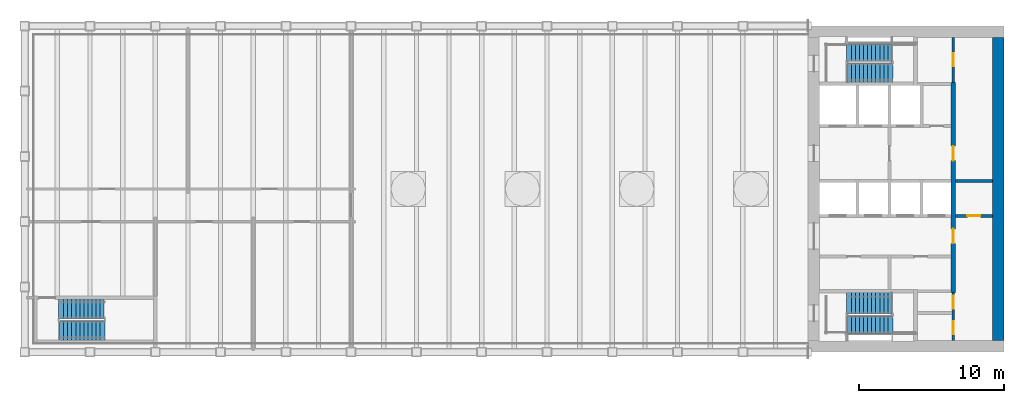
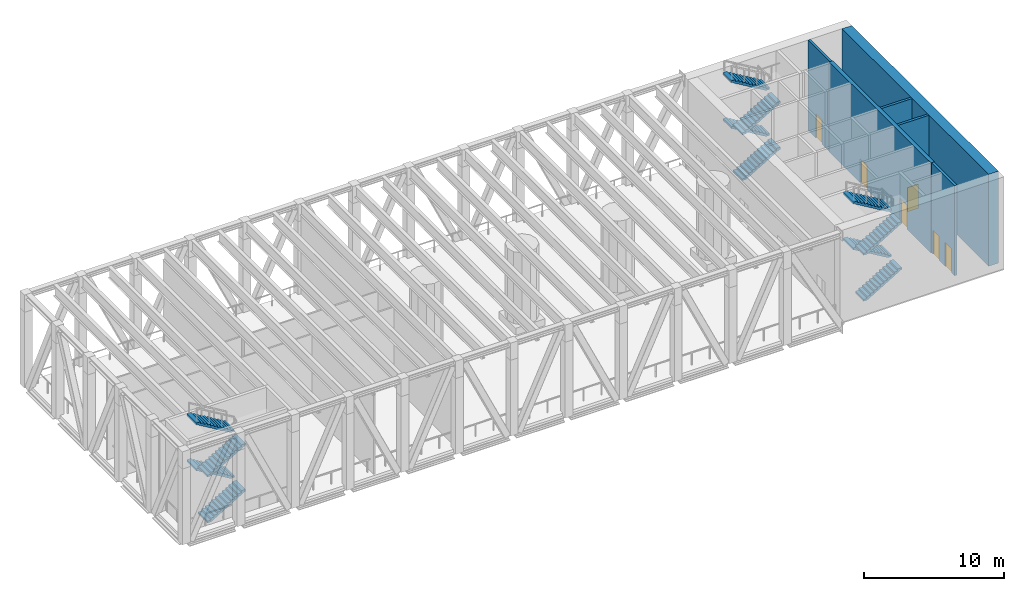
# One storey, part 5 of 11: 12 stair flights, 6 doors, 6 walls, 6 openings, 3 elements without a shape of their own.
"""IFC4 building model written with IfcOpenShell, lengths in metres."""

import ifcopenshell
import ifcopenshell.guid

model = None  # the IFC model being written
_history = None  # IfcOwnerHistory: only IFC2X3 demands one
_inside = {}  # id of a spatial element -> (the spatial element, [elements in it])
_under = {}  # id of a project, library or spatial element -> (it, [spatial elements below it])
_declared = {}  # id of a project -> (the project, [libraries it declares])
_typed = {}  # id of a type object -> (the type object, [elements of that type])
_made_of = {}  # id of a material, layer set ... -> (it, [elements and type objects made of it])


def new_model(schema):
    """Start an empty IFC model of exactly this schema.

    Asked for "IFC4X3", IfcOpenShell would pick the latest addendum, in which some entities
    have other attributes; the version numbers below select the first issue.
    IFC2X3 requires an IfcOwnerHistory on every rooted entity: one is made here for all.
    """
    global model, _history
    if schema == "IFC4X3":
        model = ifcopenshell.file(schema_version=(4, 3, 0, 0))
    else:
        model = ifcopenshell.file(schema=schema)
    _inside.clear()
    _under.clear()
    _declared.clear()
    _typed.clear()
    _made_of.clear()
    _history = None
    if model.schema == "IFC2X3":
        org = make("IfcOrganization", Name="unknown")
        user = make(
            "IfcPersonAndOrganization",
            ThePerson=make("IfcPerson", FamilyName="unknown"),
            TheOrganization=org,
        )
        app = make(
            "IfcApplication",
            ApplicationDeveloper=org,
            Version="unknown",
            ApplicationFullName="unknown",
            ApplicationIdentifier="unknown",
        )
        _history = make(
            "IfcOwnerHistory",
            OwningUser=user,
            OwningApplication=app,
            ChangeAction="ADDED",
            CreationDate=0,
        )
    return model


def make(cls, **values):
    """One entity of the class cls with the attributes given. An attribute that is None is left unset."""
    return model.create_entity(
        cls, **{name: value for name, value in values.items() if value is not None}
    )


def rooted(cls, **values):
    """An entity with a GlobalId (a new one), such as an element, a storey or a relation."""
    return make(cls, GlobalId=ifcopenshell.guid.new(), OwnerHistory=_history, **values)


def si_unit(unit_type, name, prefix=None):
    """IfcSIUnit, for example si_unit("LENGTHUNIT", "METRE", prefix="MILLI")."""
    return make("IfcSIUnit", UnitType=unit_type, Prefix=prefix, Name=name)


def assignment(units):
    """IfcUnitAssignment: the units of a project."""
    return None if units is None else make("IfcUnitAssignment", Units=units)


def point(xyz):
    """IfcCartesianPoint."""
    return None if xyz is None else make("IfcCartesianPoint", Coordinates=xyz)


def direction(xyz):
    """IfcDirection."""
    return None if xyz is None else make("IfcDirection", DirectionRatios=xyz)


def frame(location, z_axis=None, x_axis=None):
    """IfcAxis2Placement3D, a coordinate frame: its origin and axes. An axis left out is left unset."""
    return make(
        "IfcAxis2Placement3D",
        Location=point(location),
        Axis=direction(z_axis),
        RefDirection=direction(x_axis),
    )


def frame_2d(location, x_axis=None):
    """IfcAxis2Placement2D, a coordinate frame in the plane: its origin and x axis."""
    return make(
        "IfcAxis2Placement2D", Location=point(location), RefDirection=direction(x_axis)
    )


def origin():
    """The frame at (0, 0, 0) with its axes left unset."""
    return frame((0.0, 0.0, 0.0))


def place(relative_to, where):
    """IfcLocalPlacement: puts the frame where relative to a parent placement (None: the world)."""
    return make(
        "IfcLocalPlacement", PlacementRelTo=relative_to, RelativePlacement=where
    )


def context(
    kind, dimensions, precision=None, world=None, true_north=None, identifier=None
):
    """IfcGeometricRepresentationContext, for example the 3D "Model" context."""
    return make(
        "IfcGeometricRepresentationContext",
        ContextIdentifier=identifier,
        ContextType=kind,
        CoordinateSpaceDimension=dimensions,
        Precision=precision,
        WorldCoordinateSystem=world,
        TrueNorth=true_north,
    )


def subcontext(parent, identifier, kind, view, scale=None):
    """IfcGeometricRepresentationSubContext, for example "Body" below "Model"."""
    return make(
        "IfcGeometricRepresentationSubContext",
        ContextIdentifier=identifier,
        ContextType=kind,
        ParentContext=parent,
        TargetScale=scale,
        TargetView=view,
    )


def project(units=None, contexts=None):
    """IfcProject with its units and contexts."""
    return rooted(
        "IfcProject",
        Name="project",
        RepresentationContexts=contexts,
        UnitsInContext=assignment(units),
    )


def spatial(cls, under=None, at=None, **own):
    """A site, building, storey or space (cls), placed at a placement, below another one or the project."""
    s = rooted(cls, ObjectPlacement=at, **own)
    if under is not None:
        _under.setdefault(under.id(), (under, []))[1].append(s)
    return s


def polyline(points):
    """IfcPolyline through the points."""
    return make("IfcPolyline", Points=[point(p) for p in points])


def profile(cls, at=None, kind="AREA", **sizes):
    """A parametric profile (cls). Its sizes go by their IFC names, for example OverallWidth=200.0."""
    return make(cls, ProfileType=kind, Position=at, **sizes)


def rectangle(**sizes):
    """IfcRectangleProfileDef."""
    return profile("IfcRectangleProfileDef", **sizes)


def outline(outer, holes=None, kind="AREA"):
    """IfcArbitraryClosedProfileDef: a profile drawn as a closed curve; with holes, ...WithVoids."""
    if holes is None:
        return make("IfcArbitraryClosedProfileDef", ProfileType=kind, OuterCurve=outer)
    return make(
        "IfcArbitraryProfileDefWithVoids",
        ProfileType=kind,
        OuterCurve=outer,
        InnerCurves=holes,
    )


def extrude(swept, where, along, depth):
    """IfcExtrudedAreaSolid: the profile swept, set in the frame where, extruded along a direction by depth."""
    return make(
        "IfcExtrudedAreaSolid",
        SweptArea=swept,
        Position=where,
        ExtrudedDirection=direction(along),
        Depth=depth,
    )


def shape(context_of_items, identifier, shape_type, items):
    """IfcShapeRepresentation: the items that make up one representation, for example the "Body"."""
    return make(
        "IfcShapeRepresentation",
        ContextOfItems=context_of_items,
        RepresentationIdentifier=identifier,
        RepresentationType=shape_type,
        Items=items,
    )


def material(Name=None, Category=None):
    """IfcMaterial."""
    return make("IfcMaterial", Name=Name, Category=Category)


def layer(
    of_material, thickness, ventilated=None, Name=None, Category=None, Priority=None
):
    """IfcMaterialLayer: one layer of a wall or slab, of a material (None: an air gap)."""
    return make(
        "IfcMaterialLayer",
        Material=of_material,
        LayerThickness=thickness,
        IsVentilated=ventilated,
        Name=Name,
        Category=Category,
        Priority=Priority,
    )


def layer_set(layers, Name=None):
    """IfcMaterialLayerSet."""
    return make("IfcMaterialLayerSet", MaterialLayers=layers, LayerSetName=Name)


def made_of(thing, what):
    """Note that an element or type object is made of a material, layer set ...; save() writes the relation."""
    if what is not None:
        _made_of.setdefault(what.id(), (what, []))[1].append(thing)
    return thing


def type_object(cls, material=None, **own):
    """A type object (cls), such as IfcWallType, which elements share."""
    return made_of(rooted(cls, **own), material)


def element(
    cls,
    number,
    at=None,
    inside=None,
    cuts=None,
    type_object=None,
    material=None,
    context=None,
    identifier="Body",
    shape_type=None,
    held_by="IfcProductDefinitionShape",
    body=None,
    shapes=None,
    **own,
):
    """One element of the class cls, such as IfcWall. Its Tag is "e" and its number.

    at: its placement. inside: the storey or other place that contains it. cuts: it is an
    opening in that element (IfcRelVoidsElement). A single representation is given by context,
    identifier, shape_type and body (its items); several are given by shapes. held_by: the class
    of the entity that holds the representations. save() writes the other relations.
    """
    e = rooted(cls, Tag="e%d" % number, ObjectPlacement=at, **own)
    if body is not None:
        shapes = [shape(context, identifier, shape_type, body)]
    if shapes is not None:
        e.Representation = make(held_by, Representations=shapes)
    if inside is not None:
        _inside.setdefault(inside.id(), (inside, []))[1].append(e)
    if cuts is not None:
        rooted(
            "IfcRelVoidsElement", RelatingBuildingElement=cuts, RelatedOpeningElement=e
        )
    if type_object is not None:
        _typed.setdefault(type_object.id(), (type_object, []))[1].append(e)
    return made_of(e, material)


def fill(opening, filler):
    """IfcRelFillsElement: the door or window that sits in an opening."""
    return rooted(
        "IfcRelFillsElement",
        RelatingOpeningElement=opening,
        RelatedBuildingElement=filler,
    )


def aggregate(whole, parts):
    """IfcRelAggregates: a whole, such as a stair, and the parts it consists of."""
    return rooted("IfcRelAggregates", RelatingObject=whole, RelatedObjects=parts)


def save(model, path):
    """Write the relations noted so far, then the file.

    IfcRelAggregates (storeys below a building ...), IfcRelContainedInSpatialStructure (elements
    in a storey), IfcRelDefinesByType, IfcRelAssociatesMaterial and IfcRelDeclares: one each for
    every whole, place, type object, material and project.
    """
    for whole, parts in _under.values():
        aggregate(whole, parts)
    for where, things in _inside.values():
        rooted(
            "IfcRelContainedInSpatialStructure",
            RelatedElements=things,
            RelatingStructure=where,
        )
    for kind, things in _typed.values():
        rooted("IfcRelDefinesByType", RelatedObjects=things, RelatingType=kind)
    for what, things in _made_of.values():
        rooted("IfcRelAssociatesMaterial", RelatedObjects=things, RelatingMaterial=what)
    for by, libraries in _declared.values():
        rooted("IfcRelDeclares", RelatingContext=by, RelatedDefinitions=libraries)
    model.write(path)


model = new_model("IFC4")

# Units and contexts
model_context = context("Model", 3, precision=1e-05, world=origin(), true_north=direction((0.0, 1.0)))
body_context = subcontext(model_context, "Body", "Model", "MODEL_VIEW")
ifc_project = project(units=[si_unit("LENGTHUNIT", "METRE"), si_unit("AREAUNIT", "SQUARE_METRE"), si_unit("VOLUMEUNIT", "CUBIC_METRE"), si_unit("PLANEANGLEUNIT", "RADIAN"), si_unit("MASSUNIT", "GRAM", prefix="KILO")], contexts=[model_context])

# Site, building, storey
site_placement = place(None, origin())
site = spatial("IfcSite", under=ifc_project, at=site_placement, CompositionType="ELEMENT")
building_placement = place(site_placement, origin())
building = spatial("IfcBuilding", under=site, at=building_placement, Name="Sennacour Bend Tower", CompositionType="ELEMENT")
storey_placement = place(building_placement, frame((0.0, 0.0, 297.0)))
storey = spatial("IfcBuildingStorey", under=building, at=storey_placement, Name="L69", CompositionType="ELEMENT", Elevation=297.0)

# Wall
ifc_material_1 = material(Name="Concrete C50/60", Category="concrete")
ifc_layer_1 = layer(ifc_material_1, 0.800048828125, Name="Concrete C50/60", Category="concrete")
ifc_layer_set_1 = layer_set([ifc_layer_1], Name="Concrete C50/60")
wall_type_1 = type_object("IfcWallType", Name="Core wall 800 C50/60", PredefinedType="SHEAR", material=ifc_layer_set_1)
wall_1_placement = place(storey_placement, frame((67.10009765625, 0.800048828125, -0.14990234375), z_axis=(0.0, 0.0, 1.0), x_axis=(0.0, 1.0, 0.0)))
element("IfcWall", 1, at=wall_1_placement, inside=storey, type_object=wall_type_1, Name="Core A wall L69 E", PredefinedType="SHEAR", context=body_context, shape_type="SweptSolid", body=[
    extrude(rectangle(XDim=20.89990234375, YDim=0.800048828125, at=frame_2d((10.449951171875, 0.0))), origin(), (0.0, 0.0, 1.0), 8.0),
])

# Wall, openings, doors
ifc_material_2 = material(Name="Fire-rated plasterboard partition on steel studs", Category="steel")
ifc_layer_2 = layer(ifc_material_2, 0.199951171875, Name="Fire-rated plasterboard partition on steel studs", Category="steel")
ifc_layer_set_2 = layer_set([ifc_layer_2], Name="Fire-rated plasterboard partition on steel studs")
wall_type_2 = type_object("IfcWallType", Name="Rated partition 200", PredefinedType="PARTITIONING", material=ifc_layer_set_2)
wall_2_placement = place(storey_placement, frame((64.0, 0.800048828125, 0.0), z_axis=(0.0, 0.0, 1.0), x_axis=(0.0, 1.0, 0.0)))
wall_2 = element("IfcWall", 2, at=wall_2_placement, inside=storey, type_object=wall_type_2, Name="P-L69-W019", PredefinedType="PARTITIONING", context=body_context, shape_type="SweptSolid", body=[
    extrude(rectangle(XDim=3.300048828125, YDim=0.199951171875, at=frame_2d((1.64990234375, 0.0))), origin(), (0.0, 0.0, 1.0), 7.85009765625),
])
opening_1_placement = place(wall_2_placement, frame((0.449951171875, 0.0, 0.0)))
opening_1 = element("IfcOpeningElement", 3, at=opening_1_placement, cuts=wall_2, Name="Opening SV", PredefinedType="OPENING", context=body_context, shape_type="SweptSolid", body=[
    extrude(rectangle(XDim=0.89990234375, YDim=2.10009765625, at=frame_2d((0.449951171875, 1.050048828125))), frame((0.0, 0.10986328125, 0.0), z_axis=(0.0, -1.0, 0.0), x_axis=(1.0, 0.0, 0.0)), (0.0, 0.0, 1.0), 0.219970703125),
])
opening_2_placement = place(wall_2_placement, frame((2.199951171875, 0.0, 0.0)))
opening_2 = element("IfcOpeningElement", 4, at=opening_2_placement, cuts=wall_2, Name="Opening SV", PredefinedType="OPENING", context=body_context, shape_type="SweptSolid", body=[
    extrude(rectangle(XDim=0.89990234375, YDim=2.10009765625, at=frame_2d((0.449951171875, 1.050048828125))), frame((0.0, 0.10986328125, 0.0), z_axis=(0.0, -1.0, 0.0), x_axis=(1.0, 0.0, 0.0)), (0.0, 0.0, 1.0), 0.219970703125),
])
ifc_material_3 = material(Name="Painted steel", Category="steel")
door_type_1 = type_object("IfcDoorType", Name="DR-SERVICE-900", OperationType="NOTDEFINED", PredefinedType="DOOR", material=ifc_material_3)
door_1_placement = place(opening_1_placement, origin())
door_1 = element("IfcDoor", 5, at=door_1_placement, inside=storey, type_object=door_type_1, Name="Door", OperationType="SINGLE_SWING_LEFT", OverallHeight=2.10009765625, OverallWidth=0.89990234375, PredefinedType="DOOR", context=body_context, shape_type="SweptSolid", body=[
    extrude(rectangle(XDim=0.89990234375, YDim=2.10009765625, at=frame_2d((0.449951171875, 1.050048828125))), frame((0.0, 0.02490234375, 0.0), z_axis=(0.0, -1.0, 0.0), x_axis=(1.0, 0.0, 0.0)), (0.0, 0.0, 1.0), 0.050048828125),
])
fill(opening_1, door_1)
door_2_placement = place(opening_2_placement, origin())
door_2 = element("IfcDoor", 6, at=door_2_placement, inside=storey, type_object=door_type_1, Name="Door", OperationType="SINGLE_SWING_RIGHT", OverallHeight=2.10009765625, OverallWidth=0.89990234375, PredefinedType="DOOR", context=body_context, shape_type="SweptSolid", body=[
    extrude(rectangle(XDim=0.89990234375, YDim=2.10009765625, at=frame_2d((0.449951171875, 1.050048828125))), frame((0.0, 0.02490234375, 0.0), z_axis=(0.0, -1.0, 0.0), x_axis=(1.0, 0.0, 0.0)), (0.0, 0.0, 1.0), 0.050048828125),
])
fill(opening_2, door_2)

# Wall, opening, door
wall_3_placement = place(storey_placement, frame((64.0, 18.60009765625, 0.0), z_axis=(0.0, 0.0, 1.0), x_axis=(0.0, 1.0, 0.0)))
wall_3 = element("IfcWall", 7, at=wall_3_placement, inside=storey, type_object=wall_type_2, Name="P-L69-W021", PredefinedType="PARTITIONING", context=body_context, shape_type="SweptSolid", body=[
    extrude(rectangle(XDim=3.099853515625, YDim=0.199951171875, at=frame_2d((1.5498046875, 0.0))), origin(), (0.0, 0.0, 1.0), 7.85009765625),
])
opening_3_placement = place(wall_3_placement, frame((1.099853515625, 0.0, 0.0)))
opening_3 = element("IfcOpeningElement", 8, at=opening_3_placement, cuts=wall_3, Name="Opening WD", PredefinedType="OPENING", context=body_context, shape_type="SweptSolid", body=[
    extrude(rectangle(XDim=0.89990234375, YDim=2.10009765625, at=frame_2d((0.449951171875, 1.050048828125))), frame((0.0, 0.10986328125, 0.0), z_axis=(0.0, -1.0, 0.0), x_axis=(1.0, 0.0, 0.0)), (0.0, 0.0, 1.0), 0.219970703125),
])
ifc_material_4 = material(Name="Timber", Category="wood")
door_type_2 = type_object("IfcDoorType", Name="DR-WC-900", OperationType="NOTDEFINED", PredefinedType="DOOR", material=ifc_material_4)
door_3_placement = place(opening_3_placement, origin())
door_3 = element("IfcDoor", 9, at=door_3_placement, inside=storey, type_object=door_type_2, Name="Door", OperationType="SINGLE_SWING_LEFT", OverallHeight=2.10009765625, OverallWidth=0.89990234375, PredefinedType="DOOR", context=body_context, shape_type="SweptSolid", body=[
    extrude(rectangle(XDim=0.89990234375, YDim=2.10009765625, at=frame_2d((0.449951171875, 1.050048828125))), frame((0.0, 0.02490234375, 0.0), z_axis=(0.0, -1.0, 0.0), x_axis=(1.0, 0.0, 0.0)), (0.0, 0.0, 1.0), 0.050048828125),
])
fill(opening_3, door_3)

wall_4_placement = place(storey_placement, frame((64.14990234375, 9.39990234375, 0.0), z_axis=(0.0, 0.0, 1.0), x_axis=(1.0, 0.0, 0.0)))
wall_4 = element("IfcWall", 10, at=wall_4_placement, inside=storey, type_object=wall_type_2, Name="P-L69-W032", PredefinedType="PARTITIONING", context=body_context, shape_type="SweptSolid", body=[
    extrude(rectangle(XDim=2.550048828125, YDim=0.199951171875, at=frame_2d((1.27490234375, 0.0))), origin(), (0.0, 0.0, 1.0), 7.85009765625),
])
opening_4_placement = place(wall_4_placement, frame((0.8251953125, 0.0, 0.0)))
opening_4 = element("IfcOpeningElement", 11, at=opening_4_placement, cuts=wall_4, Name="Opening SV", PredefinedType="OPENING", context=body_context, shape_type="SweptSolid", body=[
    extrude(rectangle(XDim=0.89990234375, YDim=2.10009765625, at=frame_2d((0.449951171875, 1.050048828125))), frame((0.0, 0.10986328125, 0.0), z_axis=(0.0, -1.0, 0.0), x_axis=(1.0, 0.0, 0.0)), (0.0, 0.0, 1.0), 0.219970703125),
])
door_4_placement = place(opening_4_placement, origin())
door_4 = element("IfcDoor", 12, at=door_4_placement, inside=storey, type_object=door_type_1, Name="Door", OperationType="SINGLE_SWING_LEFT", OverallHeight=2.10009765625, OverallWidth=0.89990234375, PredefinedType="DOOR", context=body_context, shape_type="SweptSolid", body=[
    extrude(rectangle(XDim=0.89990234375, YDim=2.10009765625, at=frame_2d((0.449951171875, 1.050048828125))), frame((0.0, 0.02490234375, 0.0), z_axis=(0.0, -1.0, 0.0), x_axis=(1.0, 0.0, 0.0)), (0.0, 0.0, 1.0), 0.050048828125),
])
fill(opening_4, door_4)

# Wall
wall_5_placement = place(storey_placement, frame((64.14990234375, 11.800048828125, 0.0), z_axis=(0.0, 0.0, 1.0), x_axis=(1.0, 0.0, 0.0)))
element("IfcWall", 13, at=wall_5_placement, inside=storey, type_object=wall_type_2, Name="P-L69-W035", PredefinedType="PARTITIONING", context=body_context, shape_type="SweptSolid", body=[
    extrude(rectangle(XDim=2.550048828125, YDim=0.199951171875, at=frame_2d((1.27490234375, 0.0))), origin(), (0.0, 0.0, 1.0), 7.85009765625),
])

# Wall, openings, doors
ifc_material_5 = material(Name="Concrete C60/75", Category="concrete")
ifc_layer_3 = layer(ifc_material_5, 0.300048828125, Name="Concrete C60/75", Category="concrete")
ifc_layer_set_3 = layer_set([ifc_layer_3], Name="Concrete C60/75")
wall_type_3 = type_object("IfcWallType", Name="Spine wall 300", PredefinedType="SHEAR", material=ifc_layer_set_3)
wall_6_placement = place(storey_placement, frame((64.0, 4.10009765625, 0.0), z_axis=(0.0, 0.0, 1.0), x_axis=(0.0, 1.0, 0.0)))
wall_6 = element("IfcWall", 14, at=wall_6_placement, inside=storey, type_object=wall_type_3, Name="P-L69-W020", PredefinedType="SHEAR", context=body_context, shape_type="SweptSolid", body=[
    extrude(rectangle(XDim=14.5, YDim=0.300048828125, at=frame_2d((7.25, 0.0))), origin(), (0.0, 0.0, 1.0), 7.85009765625),
])
opening_5_placement = place(wall_6_placement, frame((3.39990234375, 0.0, 0.0)))
opening_5 = element("IfcOpeningElement", 15, at=opening_5_placement, cuts=wall_6, Name="Opening CD2", PredefinedType="OPENING", context=body_context, shape_type="SweptSolid", body=[
    extrude(rectangle(XDim=1.0, YDim=2.10009765625, at=frame_2d((0.5, 1.050048828125))), frame((0.0, 0.16015625, 0.0), z_axis=(0.0, -1.0, 0.0), x_axis=(1.0, 0.0, 0.0)), (0.0, 0.0, 1.0), 0.320068359375),
])
opening_6_placement = place(wall_6_placement, frame((9.099853515625, 0.0, 0.0)))
opening_6 = element("IfcOpeningElement", 16, at=opening_6_placement, cuts=wall_6, Name="Opening CD2", PredefinedType="OPENING", context=body_context, shape_type="SweptSolid", body=[
    extrude(rectangle(XDim=1.0, YDim=2.10009765625, at=frame_2d((0.5, 1.050048828125))), frame((0.0, 0.16015625, 0.0), z_axis=(0.0, -1.0, 0.0), x_axis=(1.0, 0.0, 0.0)), (0.0, 0.0, 1.0), 0.320068359375),
])
door_type_3 = type_object("IfcDoorType", Name="DR-LOBBY-1000", OperationType="NOTDEFINED", PredefinedType="DOOR", material=ifc_material_3)
door_5_placement = place(opening_5_placement, origin())
door_5 = element("IfcDoor", 17, at=door_5_placement, inside=storey, type_object=door_type_3, Name="Door", OperationType="SINGLE_SWING_LEFT", OverallHeight=2.10009765625, OverallWidth=1.0, PredefinedType="DOOR", context=body_context, shape_type="SweptSolid", body=[
    extrude(rectangle(XDim=1.0, YDim=2.10009765625, at=frame_2d((0.5, 1.050048828125))), frame((0.0, 0.02490234375, 0.0), z_axis=(0.0, -1.0, 0.0), x_axis=(1.0, 0.0, 0.0)), (0.0, 0.0, 1.0), 0.050048828125),
])
fill(opening_5, door_5)
door_6_placement = place(opening_6_placement, origin())
door_6 = element("IfcDoor", 18, at=door_6_placement, inside=storey, type_object=door_type_3, Name="Door", OperationType="SINGLE_SWING_RIGHT", OverallHeight=2.10009765625, OverallWidth=1.0, PredefinedType="DOOR", context=body_context, shape_type="SweptSolid", body=[
    extrude(rectangle(XDim=1.0, YDim=2.10009765625, at=frame_2d((0.5, 1.050048828125))), frame((0.0, 0.02490234375, 0.0), z_axis=(0.0, -1.0, 0.0), x_axis=(1.0, 0.0, 0.0)), (0.0, 0.0, 1.0), 0.050048828125),
])
fill(opening_6, door_6)

# Stair, stair flights
ifc_material_6 = material(Name="Concrete C40/50", Category="concrete")
stair_type = type_object("IfcStairType", Name="ST-DOGLEG", PredefinedType="HALF_TURN_STAIR", material=ifc_material_6)
stair_1_placement = place(storey_placement, origin())
stair_1 = element("IfcStair", 19, at=stair_1_placement, inside=storey, type_object=stair_type, Name="L69 Exit stair A1", PredefinedType="HALF_TURN_STAIR")
stair_flight_type = type_object("IfcStairFlightType", Name="SFL-RC", PredefinedType="STRAIGHT", material=ifc_material_6)
stair_flight_1_placement = place(storey_placement, frame((56.699951171875, 1.89990234375, 0.0), z_axis=(0.0, 0.0, 1.0), x_axis=(1.0, 0.0, 0.0)))
stair_flight_1 = element("IfcStairFlight", 20, at=stair_flight_1_placement, type_object=stair_flight_type, Name="SA1 flight 1", NumberOfRisers=12, NumberOfTreads=11, PredefinedType="STRAIGHT", RiserHeight=0.166666667, TreadLength=0.28, context=body_context, shape_type="SweptSolid", body=[
    extrude(outline(polyline([(0.0, 0.0), (0.0, 0.166748046875), (0.280029296875, 0.166748046875), (0.280029296875, 0.333251953125), (0.56005859375, 0.333251953125), (0.56005859375, 0.5), (0.840087890625, 0.5), (0.840087890625, 0.666748046875), (1.1201171875, 0.666748046875), (1.1201171875, 0.833251953125), (1.39990234375, 0.833251953125), (1.39990234375, 1.0), (1.679931640625, 1.0), (1.679931640625, 1.166748046875), (1.9599609375, 1.166748046875), (1.9599609375, 1.333251953125), (2.239990234375, 1.333251953125), (2.239990234375, 1.5), (2.52001953125, 1.5), (2.52001953125, 1.666748046875), (2.800048828125, 1.666748046875), (2.800048828125, 1.833251953125), (3.080078125, 1.833251953125), (3.139892578125, 1.833251953125), (3.139892578125, 1.658935546875), (3.080078125, 1.658935546875), (0.29296875, 0.0), (0.0, 0.0)])), frame((0.0, 0.60009765625, 0.0), z_axis=(0.0, -1.0, 0.0), x_axis=(1.0, 0.0, 0.0)), (0.0, 0.0, 1.0), 1.199951171875),
])
stair_flight_2_placement = place(storey_placement, frame((59.780029296875, 3.37744140625, 2.0), z_axis=(0.0, 0.0, 1.0), x_axis=(-1.0, 0.0, 0.0)))
stair_flight_2 = element("IfcStairFlight", 21, at=stair_flight_2_placement, type_object=stair_flight_type, Name="SA1 flight 2", NumberOfRisers=12, NumberOfTreads=11, PredefinedType="STRAIGHT", RiserHeight=0.166666667, TreadLength=0.28, context=body_context, shape_type="SweptSolid", body=[
    extrude(outline(polyline([(0.0, 0.0), (0.0, 0.166748046875), (0.280029296875, 0.166748046875), (0.280029296875, 0.333251953125), (0.56005859375, 0.333251953125), (0.56005859375, 0.5), (0.840087890625, 0.5), (0.840087890625, 0.666748046875), (1.1201171875, 0.666748046875), (1.1201171875, 0.833251953125), (1.39990234375, 0.833251953125), (1.39990234375, 1.0), (1.679931640625, 1.0), (1.679931640625, 1.166748046875), (1.9599609375, 1.166748046875), (1.9599609375, 1.333251953125), (2.239990234375, 1.333251953125), (2.239990234375, 1.5), (2.52001953125, 1.5), (2.52001953125, 1.666748046875), (2.800048828125, 1.666748046875), (2.800048828125, 1.833251953125), (3.080078125, 1.833251953125), (3.139892578125, 1.833251953125), (3.139892578125, 1.658935546875), (3.080078125, 1.658935546875), (0.29296875, 0.0), (0.0, 0.0)])), frame((0.0, 0.7275390625, 0.0), z_axis=(0.0, -1.0, 0.0), x_axis=(1.0, 0.0, 0.0)), (0.0, 0.0, 1.0), 1.455078125),
])
stair_flight_3_placement = place(storey_placement, frame((56.699951171875, 1.89990234375, 4.0), z_axis=(0.0, 0.0, 1.0), x_axis=(1.0, 0.0, 0.0)))
stair_flight_3 = element("IfcStairFlight", 22, at=stair_flight_3_placement, type_object=stair_flight_type, Name="SA1 flight 3", NumberOfRisers=12, NumberOfTreads=11, PredefinedType="STRAIGHT", RiserHeight=0.166666667, TreadLength=0.28, context=body_context, shape_type="SweptSolid", body=[
    extrude(outline(polyline([(0.0, 0.0), (0.0, 0.166748046875), (0.280029296875, 0.166748046875), (0.280029296875, 0.333251953125), (0.56005859375, 0.333251953125), (0.56005859375, 0.5), (0.840087890625, 0.5), (0.840087890625, 0.666748046875), (1.1201171875, 0.666748046875), (1.1201171875, 0.833251953125), (1.39990234375, 0.833251953125), (1.39990234375, 1.0), (1.679931640625, 1.0), (1.679931640625, 1.166748046875), (1.9599609375, 1.166748046875), (1.9599609375, 1.333251953125), (2.239990234375, 1.333251953125), (2.239990234375, 1.5), (2.52001953125, 1.5), (2.52001953125, 1.666748046875), (2.800048828125, 1.666748046875), (2.800048828125, 1.833251953125), (3.080078125, 1.833251953125), (3.139892578125, 1.833251953125), (3.139892578125, 1.658935546875), (3.080078125, 1.658935546875), (0.29296875, 0.0), (0.0, 0.0)])), frame((0.0, 0.60009765625, 0.0), z_axis=(0.0, -1.0, 0.0), x_axis=(1.0, 0.0, 0.0)), (0.0, 0.0, 1.0), 1.199951171875),
])
stair_flight_4_placement = place(storey_placement, frame((59.780029296875, 3.37744140625, 6.0), z_axis=(0.0, 0.0, 1.0), x_axis=(-1.0, 0.0, 0.0)))
stair_flight_4 = element("IfcStairFlight", 23, at=stair_flight_4_placement, type_object=stair_flight_type, Name="SA1 flight 4", NumberOfRisers=12, NumberOfTreads=11, PredefinedType="STRAIGHT", RiserHeight=0.166666667, TreadLength=0.28, context=body_context, shape_type="SweptSolid", body=[
    extrude(outline(polyline([(0.0, 0.0), (0.0, 0.166748046875), (0.280029296875, 0.166748046875), (0.280029296875, 0.333251953125), (0.56005859375, 0.333251953125), (0.56005859375, 0.5), (0.840087890625, 0.5), (0.840087890625, 0.666748046875), (1.1201171875, 0.666748046875), (1.1201171875, 0.833251953125), (1.39990234375, 0.833251953125), (1.39990234375, 1.0), (1.679931640625, 1.0), (1.679931640625, 1.166748046875), (1.9599609375, 1.166748046875), (1.9599609375, 1.333251953125), (2.239990234375, 1.333251953125), (2.239990234375, 1.5), (2.52001953125, 1.5), (2.52001953125, 1.666748046875), (2.800048828125, 1.666748046875), (2.800048828125, 1.833251953125), (3.080078125, 1.833251953125), (3.139892578125, 1.833251953125), (3.139892578125, 1.658935546875), (3.080078125, 1.658935546875), (0.29296875, 0.0), (0.0, 0.0)])), frame((0.0, 0.7275390625, 0.0), z_axis=(0.0, -1.0, 0.0), x_axis=(1.0, 0.0, 0.0)), (0.0, 0.0, 1.0), 1.455078125),
])
aggregate(stair_1, [stair_flight_1, stair_flight_2, stair_flight_3, stair_flight_4])

stair_2_placement = place(storey_placement, origin())
stair_2 = element("IfcStair", 24, at=stair_2_placement, inside=storey, type_object=stair_type, Name="L69 Exit stair A2", PredefinedType="HALF_TURN_STAIR")
stair_flight_5_placement = place(storey_placement, frame((56.699951171875, 19.24755859375, 0.0), z_axis=(0.0, 0.0, 1.0), x_axis=(1.0, 0.0, 0.0)))
stair_flight_5 = element("IfcStairFlight", 25, at=stair_flight_5_placement, type_object=stair_flight_type, Name="SA2 flight 1", NumberOfRisers=12, NumberOfTreads=11, PredefinedType="STRAIGHT", RiserHeight=0.166666667, TreadLength=0.28, context=body_context, shape_type="SweptSolid", body=[
    extrude(outline(polyline([(0.0, 0.0), (0.0, 0.166748046875), (0.280029296875, 0.166748046875), (0.280029296875, 0.333251953125), (0.56005859375, 0.333251953125), (0.56005859375, 0.5), (0.840087890625, 0.5), (0.840087890625, 0.666748046875), (1.1201171875, 0.666748046875), (1.1201171875, 0.833251953125), (1.39990234375, 0.833251953125), (1.39990234375, 1.0), (1.679931640625, 1.0), (1.679931640625, 1.166748046875), (1.9599609375, 1.166748046875), (1.9599609375, 1.333251953125), (2.239990234375, 1.333251953125), (2.239990234375, 1.5), (2.52001953125, 1.5), (2.52001953125, 1.666748046875), (2.800048828125, 1.666748046875), (2.800048828125, 1.833251953125), (3.080078125, 1.833251953125), (3.139892578125, 1.833251953125), (3.139892578125, 1.658935546875), (3.080078125, 1.658935546875), (0.29296875, 0.0), (0.0, 0.0)])), frame((0.0, 0.65234375, 0.0), z_axis=(0.0, -1.0, 0.0), x_axis=(1.0, 0.0, 0.0)), (0.0, 0.0, 1.0), 1.304931640625),
])
stair_flight_6_placement = place(storey_placement, frame((59.780029296875, 20.64990234375, 2.0), z_axis=(0.0, 0.0, 1.0), x_axis=(-1.0, 0.0, 0.0)))
stair_flight_6 = element("IfcStairFlight", 26, at=stair_flight_6_placement, type_object=stair_flight_type, Name="SA2 flight 2", NumberOfRisers=12, NumberOfTreads=11, PredefinedType="STRAIGHT", RiserHeight=0.166666667, TreadLength=0.28, context=body_context, shape_type="SweptSolid", body=[
    extrude(outline(polyline([(0.0, 0.0), (0.0, 0.166748046875), (0.280029296875, 0.166748046875), (0.280029296875, 0.333251953125), (0.56005859375, 0.333251953125), (0.56005859375, 0.5), (0.840087890625, 0.5), (0.840087890625, 0.666748046875), (1.1201171875, 0.666748046875), (1.1201171875, 0.833251953125), (1.39990234375, 0.833251953125), (1.39990234375, 1.0), (1.679931640625, 1.0), (1.679931640625, 1.166748046875), (1.9599609375, 1.166748046875), (1.9599609375, 1.333251953125), (2.239990234375, 1.333251953125), (2.239990234375, 1.5), (2.52001953125, 1.5), (2.52001953125, 1.666748046875), (2.800048828125, 1.666748046875), (2.800048828125, 1.833251953125), (3.080078125, 1.833251953125), (3.139892578125, 1.833251953125), (3.139892578125, 1.658935546875), (3.080078125, 1.658935546875), (0.29296875, 0.0), (0.0, 0.0)])), frame((0.0, 0.60009765625, 0.0), z_axis=(0.0, -1.0, 0.0), x_axis=(1.0, 0.0, 0.0)), (0.0, 0.0, 1.0), 1.199951171875),
])
stair_flight_7_placement = place(storey_placement, frame((56.699951171875, 19.24755859375, 4.0), z_axis=(0.0, 0.0, 1.0), x_axis=(1.0, 0.0, 0.0)))
stair_flight_7 = element("IfcStairFlight", 27, at=stair_flight_7_placement, type_object=stair_flight_type, Name="SA2 flight 3", NumberOfRisers=12, NumberOfTreads=11, PredefinedType="STRAIGHT", RiserHeight=0.166666667, TreadLength=0.28, context=body_context, shape_type="SweptSolid", body=[
    extrude(outline(polyline([(0.0, 0.0), (0.0, 0.166748046875), (0.280029296875, 0.166748046875), (0.280029296875, 0.333251953125), (0.56005859375, 0.333251953125), (0.56005859375, 0.5), (0.840087890625, 0.5), (0.840087890625, 0.666748046875), (1.1201171875, 0.666748046875), (1.1201171875, 0.833251953125), (1.39990234375, 0.833251953125), (1.39990234375, 1.0), (1.679931640625, 1.0), (1.679931640625, 1.166748046875), (1.9599609375, 1.166748046875), (1.9599609375, 1.333251953125), (2.239990234375, 1.333251953125), (2.239990234375, 1.5), (2.52001953125, 1.5), (2.52001953125, 1.666748046875), (2.800048828125, 1.666748046875), (2.800048828125, 1.833251953125), (3.080078125, 1.833251953125), (3.139892578125, 1.833251953125), (3.139892578125, 1.658935546875), (3.080078125, 1.658935546875), (0.29296875, 0.0), (0.0, 0.0)])), frame((0.0, 0.65234375, 0.0), z_axis=(0.0, -1.0, 0.0), x_axis=(1.0, 0.0, 0.0)), (0.0, 0.0, 1.0), 1.304931640625),
])
stair_flight_8_placement = place(storey_placement, frame((59.780029296875, 20.64990234375, 6.0), z_axis=(0.0, 0.0, 1.0), x_axis=(-1.0, 0.0, 0.0)))
stair_flight_8 = element("IfcStairFlight", 28, at=stair_flight_8_placement, type_object=stair_flight_type, Name="SA2 flight 4", NumberOfRisers=12, NumberOfTreads=11, PredefinedType="STRAIGHT", RiserHeight=0.166666667, TreadLength=0.28, context=body_context, shape_type="SweptSolid", body=[
    extrude(outline(polyline([(0.0, 0.0), (0.0, 0.166748046875), (0.280029296875, 0.166748046875), (0.280029296875, 0.333251953125), (0.56005859375, 0.333251953125), (0.56005859375, 0.5), (0.840087890625, 0.5), (0.840087890625, 0.666748046875), (1.1201171875, 0.666748046875), (1.1201171875, 0.833251953125), (1.39990234375, 0.833251953125), (1.39990234375, 1.0), (1.679931640625, 1.0), (1.679931640625, 1.166748046875), (1.9599609375, 1.166748046875), (1.9599609375, 1.333251953125), (2.239990234375, 1.333251953125), (2.239990234375, 1.5), (2.52001953125, 1.5), (2.52001953125, 1.666748046875), (2.800048828125, 1.666748046875), (2.800048828125, 1.833251953125), (3.080078125, 1.833251953125), (3.139892578125, 1.833251953125), (3.139892578125, 1.658935546875), (3.080078125, 1.658935546875), (0.29296875, 0.0), (0.0, 0.0)])), frame((0.0, 0.60009765625, 0.0), z_axis=(0.0, -1.0, 0.0), x_axis=(1.0, 0.0, 0.0)), (0.0, 0.0, 1.0), 1.199951171875),
])
aggregate(stair_2, [stair_flight_5, stair_flight_6, stair_flight_7, stair_flight_8])

stair_3_placement = place(storey_placement, origin())
stair_3 = element("IfcStair", 29, at=stair_3_placement, inside=storey, type_object=stair_type, Name="L69 Exit stair K1", PredefinedType="HALF_TURN_STAIR")
stair_flight_9_placement = place(storey_placement, frame((2.39990234375, 1.485107421875, 0.0), z_axis=(0.0, 0.0, 1.0), x_axis=(1.0, 0.0, 0.0)))
stair_flight_9 = element("IfcStairFlight", 30, at=stair_flight_9_placement, type_object=stair_flight_type, Name="SK1 flight 1", NumberOfRisers=12, NumberOfTreads=11, PredefinedType="STRAIGHT", RiserHeight=0.166666667, TreadLength=0.28, context=body_context, shape_type="SweptSolid", body=[
    extrude(outline(polyline([(0.0, 0.0), (0.0, 0.166748046875), (0.280029296875, 0.166748046875), (0.280029296875, 0.333251953125), (0.56005859375, 0.333251953125), (0.56005859375, 0.5), (0.840087890625, 0.5), (0.840087890625, 0.666748046875), (1.1201171875, 0.666748046875), (1.1201171875, 0.833251953125), (1.39990234375, 0.833251953125), (1.39990234375, 1.0), (1.679931640625, 1.0), (1.679931640625, 1.166748046875), (1.9599609375, 1.166748046875), (1.9599609375, 1.333251953125), (2.239990234375, 1.333251953125), (2.239990234375, 1.5), (2.52001953125, 1.5), (2.52001953125, 1.666748046875), (2.800048828125, 1.666748046875), (2.800048828125, 1.833251953125), (3.080078125, 1.833251953125), (3.139892578125, 1.833251953125), (3.139892578125, 1.658935546875), (3.080078125, 1.658935546875), (0.29296875, 0.0), (0.0, 0.0)])), frame((0.0, 0.6650390625, 0.0), z_axis=(0.0, -1.0, 0.0), x_axis=(1.0, 0.0, 0.0)), (0.0, 0.0, 1.0), 1.330078125),
])
stair_flight_10_placement = place(storey_placement, frame((5.47998046875, 2.9775390625, 2.0), z_axis=(0.0, 0.0, 1.0), x_axis=(-1.0, 0.0, 0.0)))
stair_flight_10 = element("IfcStairFlight", 31, at=stair_flight_10_placement, type_object=stair_flight_type, Name="SK1 flight 2", NumberOfRisers=12, NumberOfTreads=11, PredefinedType="STRAIGHT", RiserHeight=0.166666667, TreadLength=0.28, context=body_context, shape_type="SweptSolid", body=[
    extrude(outline(polyline([(0.0, 0.0), (0.0, 0.166748046875), (0.280029296875, 0.166748046875), (0.280029296875, 0.333251953125), (0.56005859375, 0.333251953125), (0.56005859375, 0.5), (0.840087890625, 0.5), (0.840087890625, 0.666748046875), (1.1201171875, 0.666748046875), (1.1201171875, 0.833251953125), (1.39990234375, 0.833251953125), (1.39990234375, 1.0), (1.679931640625, 1.0), (1.679931640625, 1.166748046875), (1.9599609375, 1.166748046875), (1.9599609375, 1.333251953125), (2.239990234375, 1.333251953125), (2.239990234375, 1.5), (2.52001953125, 1.5), (2.52001953125, 1.666748046875), (2.800048828125, 1.666748046875), (2.800048828125, 1.833251953125), (3.080078125, 1.833251953125), (3.139892578125, 1.833251953125), (3.139892578125, 1.658935546875), (3.080078125, 1.658935546875), (0.29296875, 0.0), (0.0, 0.0)])), frame((0.0, 0.677490234375, 0.0), z_axis=(0.0, -1.0, 0.0), x_axis=(1.0, 0.0, 0.0)), (0.0, 0.0, 1.0), 1.35498046875),
])
stair_flight_11_placement = place(storey_placement, frame((2.39990234375, 1.485107421875, 4.0), z_axis=(0.0, 0.0, 1.0), x_axis=(1.0, 0.0, 0.0)))
stair_flight_11 = element("IfcStairFlight", 32, at=stair_flight_11_placement, type_object=stair_flight_type, Name="SK1 flight 3", NumberOfRisers=12, NumberOfTreads=11, PredefinedType="STRAIGHT", RiserHeight=0.166666667, TreadLength=0.28, context=body_context, shape_type="SweptSolid", body=[
    extrude(outline(polyline([(0.0, 0.0), (0.0, 0.166748046875), (0.280029296875, 0.166748046875), (0.280029296875, 0.333251953125), (0.56005859375, 0.333251953125), (0.56005859375, 0.5), (0.840087890625, 0.5), (0.840087890625, 0.666748046875), (1.1201171875, 0.666748046875), (1.1201171875, 0.833251953125), (1.39990234375, 0.833251953125), (1.39990234375, 1.0), (1.679931640625, 1.0), (1.679931640625, 1.166748046875), (1.9599609375, 1.166748046875), (1.9599609375, 1.333251953125), (2.239990234375, 1.333251953125), (2.239990234375, 1.5), (2.52001953125, 1.5), (2.52001953125, 1.666748046875), (2.800048828125, 1.666748046875), (2.800048828125, 1.833251953125), (3.080078125, 1.833251953125), (3.139892578125, 1.833251953125), (3.139892578125, 1.658935546875), (3.080078125, 1.658935546875), (0.29296875, 0.0), (0.0, 0.0)])), frame((0.0, 0.6650390625, 0.0), z_axis=(0.0, -1.0, 0.0), x_axis=(1.0, 0.0, 0.0)), (0.0, 0.0, 1.0), 1.330078125),
])
stair_flight_12_placement = place(storey_placement, frame((5.47998046875, 2.9775390625, 6.0), z_axis=(0.0, 0.0, 1.0), x_axis=(-1.0, 0.0, 0.0)))
stair_flight_12 = element("IfcStairFlight", 33, at=stair_flight_12_placement, type_object=stair_flight_type, Name="SK1 flight 4", NumberOfRisers=12, NumberOfTreads=11, PredefinedType="STRAIGHT", RiserHeight=0.166666667, TreadLength=0.28, context=body_context, shape_type="SweptSolid", body=[
    extrude(outline(polyline([(0.0, 0.0), (0.0, 0.166748046875), (0.280029296875, 0.166748046875), (0.280029296875, 0.333251953125), (0.56005859375, 0.333251953125), (0.56005859375, 0.5), (0.840087890625, 0.5), (0.840087890625, 0.666748046875), (1.1201171875, 0.666748046875), (1.1201171875, 0.833251953125), (1.39990234375, 0.833251953125), (1.39990234375, 1.0), (1.679931640625, 1.0), (1.679931640625, 1.166748046875), (1.9599609375, 1.166748046875), (1.9599609375, 1.333251953125), (2.239990234375, 1.333251953125), (2.239990234375, 1.5), (2.52001953125, 1.5), (2.52001953125, 1.666748046875), (2.800048828125, 1.666748046875), (2.800048828125, 1.833251953125), (3.080078125, 1.833251953125), (3.139892578125, 1.833251953125), (3.139892578125, 1.658935546875), (3.080078125, 1.658935546875), (0.29296875, 0.0), (0.0, 0.0)])), frame((0.0, 0.677490234375, 0.0), z_axis=(0.0, -1.0, 0.0), x_axis=(1.0, 0.0, 0.0)), (0.0, 0.0, 1.0), 1.35498046875),
])
aggregate(stair_3, [stair_flight_9, stair_flight_10, stair_flight_11, stair_flight_12])

save(model, "model.ifc")
